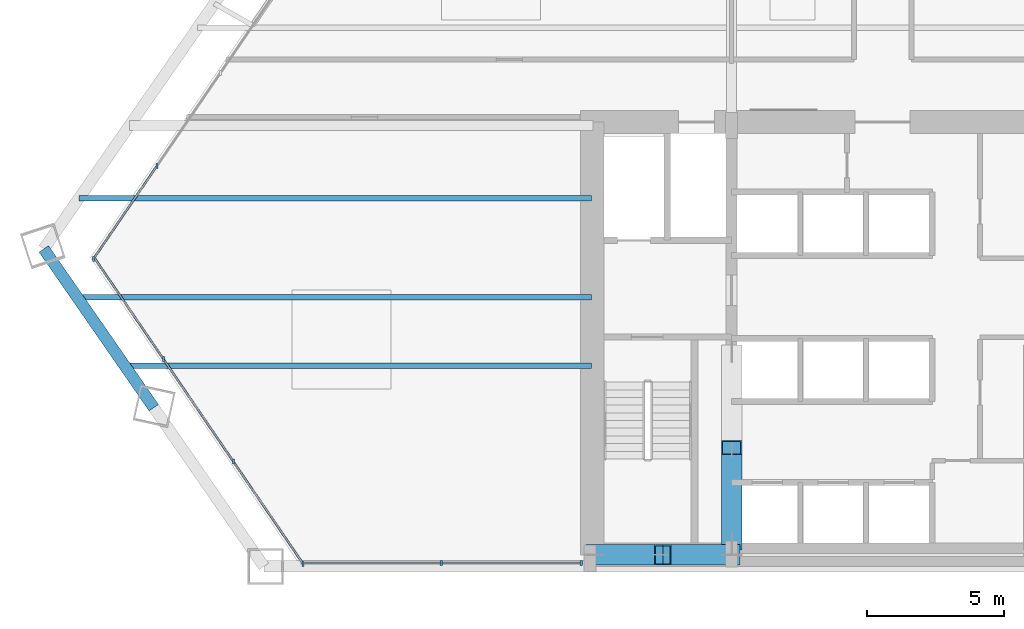
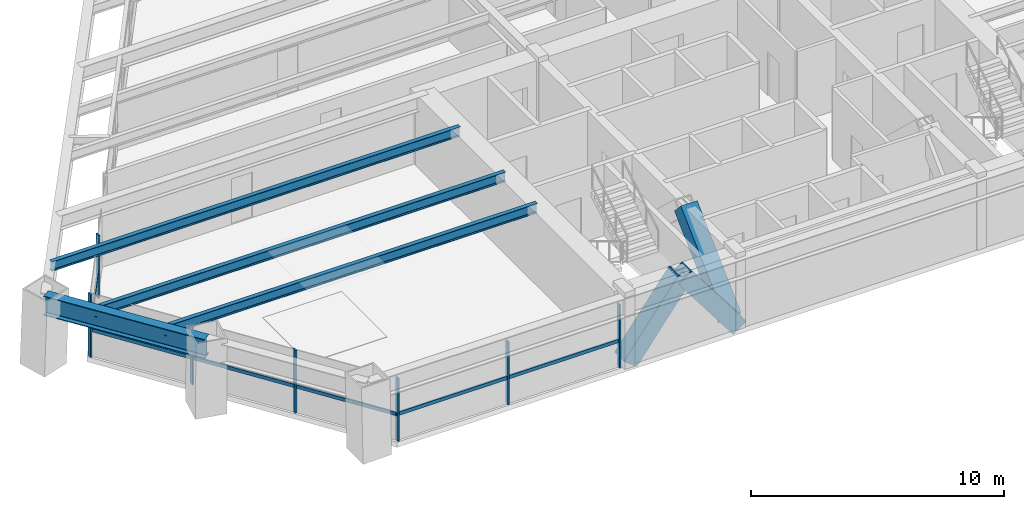
# One storey, part 2 of 13: 16 members, 4 beams, 3 elements without a shape of their own.
"""IFC4 building model written with IfcOpenShell, lengths in metres."""

from ifc_helpers import new_model, si_unit, direction, frame, origin, origin_2d, place, context, subcontext, project, spatial, rectangle, hollow_rectangle, i_section, extrude, source, transform, mapped, material, material_profile, profile_set, type_object, type_shapes, element, aggregate, save


model = new_model("IFC4")

# Units and contexts
model_context = context("Model", 3, precision=1e-05, world=origin(), true_north=direction((0.0, 1.0)))
body_context = subcontext(model_context, "Body", "Model", "MODEL_VIEW")
ifc_project = project(units=[si_unit("LENGTHUNIT", "METRE"), si_unit("AREAUNIT", "SQUARE_METRE"), si_unit("VOLUMEUNIT", "CUBIC_METRE"), si_unit("PLANEANGLEUNIT", "RADIAN"), si_unit("MASSUNIT", "GRAM", prefix="KILO")], contexts=[model_context])

# Site, building, storey
site_placement = place(None, origin())
site = spatial("IfcSite", under=ifc_project, at=site_placement, CompositionType="ELEMENT")
building_placement = place(site_placement, origin())
building = spatial("IfcBuilding", under=site, at=building_placement, Name="Varnakhor Terracotta Tower", CompositionType="ELEMENT")
storey_placement = place(building_placement, frame((0.0, 0.0, 27.5)))
storey = spatial("IfcBuildingStorey", under=building, at=storey_placement, Name="L05", CompositionType="ELEMENT", Elevation=27.5)

# Beams
ifc_material_1 = material(Name="Steel S355", Category="steel")
ifc_material_profile_1 = material_profile(ifc_material_1, i_section(OverallWidth=0.41796875, OverallDepth=0.927001953125, WebThickness=0.01904296875, FlangeThickness=0.031982421875, FilletRadius=0.01806640625, at=origin_2d()), Name="W36X231")
ifc_profile_set_1 = profile_set([ifc_material_profile_1], Name="Steel S355")
beam_type_1 = type_object("IfcBeamType", Name="BM-W36X231", PredefinedType="BEAM", material=ifc_profile_set_1)
shared_shape_1 = source(origin(), body_context, "Body", "SweptSolid", [
    extrude(i_section(OverallWidth=0.41796875, OverallDepth=0.927001953125, WebThickness=0.01904296875, FlangeThickness=0.031982421875, FilletRadius=0.01806640625, at=origin_2d()), origin(), (0.0, 0.0, 1.0), 7.02978515625),
])
beam_1_placement = place(storey_placement, frame((-30.529541015625, 11.55419921875, 2.986572265625), z_axis=(0.569771490821, -0.821803168798, 0.0), x_axis=(0.821803168798, 0.569771490821, 0.0)))
element("IfcBeam", 1, at=beam_1_placement, inside=storey, type_object=beam_type_1, Name="L05 Perimeter Spandrel 7", PredefinedType="BEAM", context=body_context, shape_type="MappedRepresentation", body=[
    mapped(shared_shape_1, transform((0.0, 0.0, 0.0), scale=1.0)),
])
ifc_material_profile_2 = material_profile(ifc_material_1, i_section(OverallWidth=0.19189453125, OverallDepth=0.462890625, WebThickness=0.010498046875, FlangeThickness=0.017578125, FilletRadius=0.01806640625, at=origin_2d()), Name="W18X60")
ifc_profile_set_2 = profile_set([ifc_material_profile_2], Name="Steel S355")
beam_type_2 = type_object("IfcBeamType", Name="JST-W18X60", PredefinedType="JOIST", material=ifc_profile_set_2)
shared_shape_2 = source(origin(), body_context, "Body", "SweptSolid", [
    extrude(i_section(OverallWidth=0.19189453125, OverallDepth=0.462890625, WebThickness=0.010498046875, FlangeThickness=0.017578125, FilletRadius=0.01806640625, at=origin_2d()), origin(), (0.0, 0.0, 1.0), 16.97998046875),
])
type_shapes(beam_type_2, [shared_shape_2])
beam_2_placement = place(storey_placement, frame((-27.580078125, 7.300048828125, 3.218505859375), z_axis=(1.0, 0.0, 0.0), x_axis=(0.0, 1.0, 0.0)))
element("IfcBeam", 2, at=beam_2_placement, inside=storey, type_object=beam_type_2, Name="L05 Floor Joist W1", PredefinedType="JOIST", context=body_context, shape_type="MappedRepresentation", body=[
    mapped(shared_shape_2, transform((0.0, 0.0, 0.0), scale=1.0)),
])
shared_shape_3 = source(origin(), body_context, "Body", "SweptSolid", [
    extrude(i_section(OverallWidth=0.19189453125, OverallDepth=0.462890625, WebThickness=0.010498046875, FlangeThickness=0.017578125, FilletRadius=0.01806640625, at=origin_2d()), origin(), (0.0, 0.0, 1.0), 18.713134765625),
])
beam_3_placement = place(storey_placement, frame((-29.313232421875, 9.800048828125, 3.218505859375), z_axis=(1.0, 0.0, 0.0), x_axis=(0.0, 1.0, 0.0)))
element("IfcBeam", 3, at=beam_3_placement, inside=storey, type_object=beam_type_2, Name="L05 Floor Joist W2", PredefinedType="JOIST", context=body_context, shape_type="MappedRepresentation", body=[
    mapped(shared_shape_3, transform((0.0, 0.0, 0.0), scale=1.0)),
])
shared_shape_4 = source(origin(), body_context, "Body", "SweptSolid", [
    extrude(i_section(OverallWidth=0.19189453125, OverallDepth=0.462890625, WebThickness=0.010498046875, FlangeThickness=0.017578125, FilletRadius=0.01806640625, at=origin_2d()), origin(), (0.0, 0.0, 1.0), 18.64599609375),
])
beam_4_placement = place(storey_placement, frame((-29.24609375, 13.39990234375, 3.218505859375), z_axis=(1.0, 0.0, 0.0), x_axis=(0.0, 1.0, 0.0)))
element("IfcBeam", 4, at=beam_4_placement, inside=storey, type_object=beam_type_2, Name="L05 Floor Joist W3", PredefinedType="JOIST", context=body_context, shape_type="MappedRepresentation", body=[
    mapped(shared_shape_4, transform((0.0, 0.0, 0.0), scale=1.0)),
])

# Members
ifc_material_2 = material(Name="Steel S460", Category="steel")
ifc_material_profile_3 = material_profile(ifc_material_2, hollow_rectangle(XDim=0.75, YDim=0.75, WallThickness=0.044921875, at=origin_2d()), Name="HSS750X750X45")
ifc_profile_set_3 = profile_set([ifc_material_profile_3], Name="Steel S460")
member_type_1 = type_object("IfcMemberType", Name="MBR-MEGA-750", PredefinedType="BRACE", material=ifc_profile_set_3)
shared_shape_5 = source(origin(), body_context, "Body", "SweptSolid", [
    extrude(hollow_rectangle(XDim=0.75, YDim=0.75, WallThickness=0.044921875, at=origin_2d()), origin(), (0.0, 0.0, 1.0), 4.14013671875),
])
type_shapes(member_type_1, [shared_shape_5])
for number, where, z_axis, x_axis, name in (
    (5, (-10.5, 0.419921875, 0.0), (0.603852011179, 0.0, 0.797096448741), (0.0, 1.0, 0.0), "L05 Core Coupled Brace CSWA"),
    (6, (-5.5, 0.419921875, 0.0), (-0.603852011179, 0.0, 0.797096448741), (0.0, -1.0, 0.0), "L05 Core Coupled Brace CSWB"),
):
    element("IfcMember", number, at=place(storey_placement, frame(where, z_axis=z_axis, x_axis=x_axis)), inside=storey, type_object=member_type_1, Name=name, PredefinedType="BRACE", context=body_context, shape_type="MappedRepresentation", body=[
        mapped(shared_shape_5, transform((0.0, 0.0, 0.0), scale=1.0)),
    ])
shared_shape_6 = source(origin(), body_context, "Body", "SweptSolid", [
    extrude(hollow_rectangle(XDim=0.75, YDim=0.75, WallThickness=0.044921875, at=origin_2d()), origin(), (0.0, 0.0, 1.0), 4.792236328125),
])
member_1_placement = place(storey_placement, frame((-5.5, 0.85009765625, 0.0), z_axis=(0.0, 0.725110085518, 0.688632967466), x_axis=(-1.0, 0.0, 0.0)))
element("IfcMember", 7, at=member_1_placement, inside=storey, type_object=member_type_1, Name="L05 Core Coupled Brace CWWA", PredefinedType="BRACE", context=body_context, shape_type="MappedRepresentation", body=[
    mapped(shared_shape_6, transform((0.0, 0.0, 0.0), scale=1.0)),
])

# Curtain wall, members
ifc_material_3 = material(Name="Anodised Aluminium Curtain Wall System", Category="aluminium")
curtain_wall_type = type_object("IfcCurtainWallType", Name="CW-SYS-LOW-OFFICE", PredefinedType="NOTDEFINED", material=ifc_material_3)
curtain_wall_1_placement = place(storey_placement, origin())
curtain_wall_1 = element("IfcCurtainWall", 8, at=curtain_wall_1_placement, inside=storey, type_object=curtain_wall_type, Name="L05 Facet Curtain Wall 1", PredefinedType="NOTDEFINED")
ifc_material_4 = material(Name="Anodised Aluminium 6063-T6", Category="aluminium")
ifc_material_profile_4 = material_profile(ifc_material_4, rectangle(XDim=0.074951171875, YDim=0.18505859375, at=origin_2d()), Name="ALU MULLION 75x185")
ifc_profile_set_4 = profile_set([ifc_material_profile_4], Name="Anodised Aluminium 6063-T6")
member_type_2 = type_object("IfcMemberType", Name="CWM-02", PredefinedType="MULLION", material=ifc_profile_set_4)
shared_shape_7 = source(origin(), body_context, "Body", "SweptSolid", [
    extrude(rectangle(XDim=0.074951171875, YDim=0.18505859375, at=origin_2d()), origin(), (0.0, 0.0, 1.0), 3.030029296875),
])
type_shapes(member_type_2, [shared_shape_7])
member_2_placement = place(storey_placement, frame((-28.718994140625, 11.192138671875, 0.0), z_axis=(0.0, 0.0, 1.0), x_axis=(1.0, 0.0, 0.0)))
member_2 = element("IfcMember", 9, at=member_2_placement, type_object=member_type_2, Name="L05 Facet Curtain Wall 1 Mullion 1", PredefinedType="MULLION", context=body_context, shape_type="MappedRepresentation", body=[
    mapped(shared_shape_7, transform((0.0, 0.0, 0.0), scale=1.0)),
])
member_3_placement = place(storey_placement, frame((-26.4111328125, 14.574951171875, 0.0), z_axis=(0.0, 0.0, 1.0), x_axis=(1.0, 0.0, 0.0)))
member_3 = element("IfcMember", 10, at=member_3_placement, type_object=member_type_2, Name="L05 Facet Curtain Wall 1 Mullion 2", PredefinedType="MULLION", context=body_context, shape_type="MappedRepresentation", body=[
    mapped(shared_shape_7, transform((0.0, 0.0, 0.0), scale=1.0)),
])

curtain_wall_2_placement = place(storey_placement, origin())
curtain_wall_2 = element("IfcCurtainWall", 11, at=curtain_wall_2_placement, inside=storey, type_object=curtain_wall_type, Name="L05 South Wing Curtain Wall SSW", PredefinedType="NOTDEFINED")
member_4_placement = place(storey_placement, frame((-10.969970703125, 0.1201171875, 0.0), z_axis=(0.0, 0.0, 1.0), x_axis=(1.0, 0.0, 0.0)))
member_4 = element("IfcMember", 12, at=member_4_placement, type_object=member_type_2, Name="L05 South Wing Curtain Wall SSW Mullion 1", PredefinedType="MULLION", context=body_context, shape_type="MappedRepresentation", body=[
    mapped(shared_shape_7, transform((0.0, 0.0, 0.0), scale=1.0)),
])
member_5_placement = place(storey_placement, frame((-16.06494140625, 0.1201171875, 0.0), z_axis=(0.0, 0.0, 1.0), x_axis=(1.0, 0.0, 0.0)))
member_5 = element("IfcMember", 13, at=member_5_placement, type_object=member_type_2, Name="L05 South Wing Curtain Wall SSW Mullion 2", PredefinedType="MULLION", context=body_context, shape_type="MappedRepresentation", body=[
    mapped(shared_shape_7, transform((0.0, 0.0, 0.0), scale=1.0)),
])

curtain_wall_3_placement = place(storey_placement, origin())
curtain_wall_3 = element("IfcCurtainWall", 14, at=curtain_wall_3_placement, inside=storey, type_object=curtain_wall_type, Name="L05 Facet Curtain Wall 6", PredefinedType="NOTDEFINED")
member_6_placement = place(storey_placement, frame((-21.087890625, 0.09228515625, 0.0), z_axis=(0.0, 0.0, 1.0), x_axis=(1.0, 0.0, 0.0)))
member_6 = element("IfcMember", 15, at=member_6_placement, type_object=member_type_2, Name="L05 Facet Curtain Wall 6 Mullion 1", PredefinedType="MULLION", context=body_context, shape_type="MappedRepresentation", body=[
    mapped(shared_shape_7, transform((0.0, 0.0, 0.0), scale=1.0)),
])
member_7_placement = place(storey_placement, frame((-23.631591796875, 3.82080078125, 0.0), z_axis=(0.0, 0.0, 1.0), x_axis=(1.0, 0.0, 0.0)))
member_7 = element("IfcMember", 16, at=member_7_placement, type_object=member_type_2, Name="L05 Facet Curtain Wall 6 Mullion 2", PredefinedType="MULLION", context=body_context, shape_type="MappedRepresentation", body=[
    mapped(shared_shape_7, transform((0.0, 0.0, 0.0), scale=1.0)),
])
member_8_placement = place(storey_placement, frame((-26.17529296875, 7.54931640625, 0.0), z_axis=(0.0, 0.0, 1.0), x_axis=(1.0, 0.0, 0.0)))
member_8 = element("IfcMember", 17, at=member_8_placement, type_object=member_type_2, Name="L05 Facet Curtain Wall 6 Mullion 3", PredefinedType="MULLION", context=body_context, shape_type="MappedRepresentation", body=[
    mapped(shared_shape_7, transform((0.0, 0.0, 0.0), scale=1.0)),
])

# Member
ifc_material_profile_5 = material_profile(ifc_material_4, rectangle(XDim=0.074951171875, YDim=0.1650390625, at=origin_2d()), Name="ALU TRANSOM 75x165")
ifc_profile_set_5 = profile_set([ifc_material_profile_5], Name="Anodised Aluminium 6063-T6")
member_type_3 = type_object("IfcMemberType", Name="CWT-02", PredefinedType="USERDEFINED", material=ifc_profile_set_5)
shared_shape_8 = source(origin(), body_context, "Body", "SweptSolid", [
    extrude(rectangle(XDim=0.074951171875, YDim=0.1650390625, at=origin_2d()), origin(), (0.0, 0.0, 1.0), 4.094970703125),
])
type_shapes(member_type_3, [shared_shape_8])
member_9_placement = place(storey_placement, frame((-28.718994140625, 11.192138671875, 1.272705078125), z_axis=(0.563569893016, 0.826068384389, 0.0), x_axis=(-0.826068384389, 0.563569893016, 0.0)))
member_9 = element("IfcMember", 18, at=member_9_placement, type_object=member_type_3, Name="L05 Facet Curtain Wall 1 Transom 1", ObjectType="TRANSOM", PredefinedType="USERDEFINED", context=body_context, shape_type="MappedRepresentation", body=[
    mapped(shared_shape_8, transform((0.0, 0.0, 0.0), scale=1.0)),
])

aggregate(curtain_wall_1, [member_2, member_9, member_3])

shared_shape_9 = source(origin(), body_context, "Body", "SweptSolid", [
    extrude(rectangle(XDim=0.074951171875, YDim=0.1650390625, at=origin_2d()), origin(), (0.0, 0.0, 1.0), 4.513671875),
])
member_10_placement = place(storey_placement, frame((-21.087890625, 0.09228515625, 1.272705078125), z_axis=(-0.563568422553, 0.826069387583, 0.0), x_axis=(-0.826069387583, -0.563568422553, 0.0)))
member_10 = element("IfcMember", 19, at=member_10_placement, type_object=member_type_3, Name="L05 Facet Curtain Wall 6 Transom 1", ObjectType="TRANSOM", PredefinedType="USERDEFINED", context=body_context, shape_type="MappedRepresentation", body=[
    mapped(shared_shape_9, transform((0.0, 0.0, 0.0), scale=1.0)),
])

member_11_placement = place(storey_placement, frame((-23.631591796875, 3.82080078125, 1.272705078125), z_axis=(-0.563568422553, 0.826069387583, 0.0), x_axis=(-0.826069387583, -0.563568422553, 0.0)))
member_11 = element("IfcMember", 20, at=member_11_placement, type_object=member_type_3, Name="L05 Facet Curtain Wall 6 Transom 2", ObjectType="TRANSOM", PredefinedType="USERDEFINED", context=body_context, shape_type="MappedRepresentation", body=[
    mapped(shared_shape_9, transform((0.0, 0.0, 0.0), scale=1.0)),
])

member_12_placement = place(storey_placement, frame((-26.17529296875, 7.54931640625, 1.272705078125), z_axis=(-0.563568422553, 0.826069387583, 0.0), x_axis=(-0.826069387583, -0.563568422553, 0.0)))
member_12 = element("IfcMember", 21, at=member_12_placement, type_object=member_type_3, Name="L05 Facet Curtain Wall 6 Transom 3", ObjectType="TRANSOM", PredefinedType="USERDEFINED", context=body_context, shape_type="MappedRepresentation", body=[
    mapped(shared_shape_9, transform((0.0, 0.0, 0.0), scale=1.0)),
])

aggregate(curtain_wall_3, [member_6, member_10, member_7, member_11, member_8, member_12])

shared_shape_10 = source(origin(), body_context, "Body", "SweptSolid", [
    extrude(rectangle(XDim=0.074951171875, YDim=0.1650390625, at=origin_2d()), origin(), (0.0, 0.0, 1.0), 5.094970703125),
])
member_13_placement = place(storey_placement, frame((-10.969970703125, 0.1201171875, 1.272705078125), z_axis=(-1.0, 0.0, 0.0), x_axis=(0.0, -1.0, 0.0)))
member_13 = element("IfcMember", 22, at=member_13_placement, type_object=member_type_3, Name="L05 South Wing Curtain Wall SSW Transom 1", ObjectType="TRANSOM", PredefinedType="USERDEFINED", context=body_context, shape_type="MappedRepresentation", body=[
    mapped(shared_shape_10, transform((0.0, 0.0, 0.0), scale=1.0)),
])

member_14_placement = place(storey_placement, frame((-16.06494140625, 0.1201171875, 1.272705078125), z_axis=(-1.0, 0.0, 0.0), x_axis=(0.0, -1.0, 0.0)))
member_14 = element("IfcMember", 23, at=member_14_placement, type_object=member_type_3, Name="L05 South Wing Curtain Wall SSW Transom 2", ObjectType="TRANSOM", PredefinedType="USERDEFINED", context=body_context, shape_type="MappedRepresentation", body=[
    mapped(shared_shape_10, transform((0.0, 0.0, 0.0), scale=1.0)),
])

aggregate(curtain_wall_2, [member_4, member_13, member_5, member_14])

save(model, "model.ifc")
